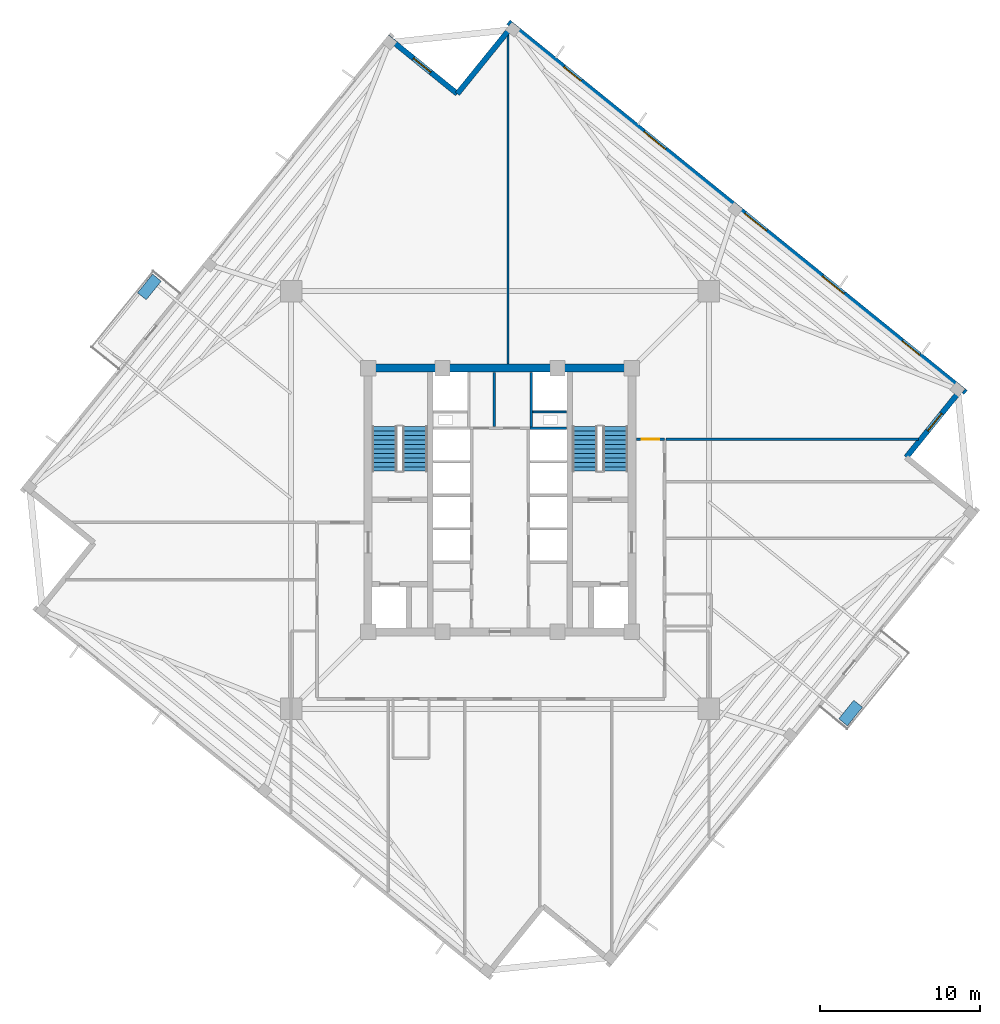
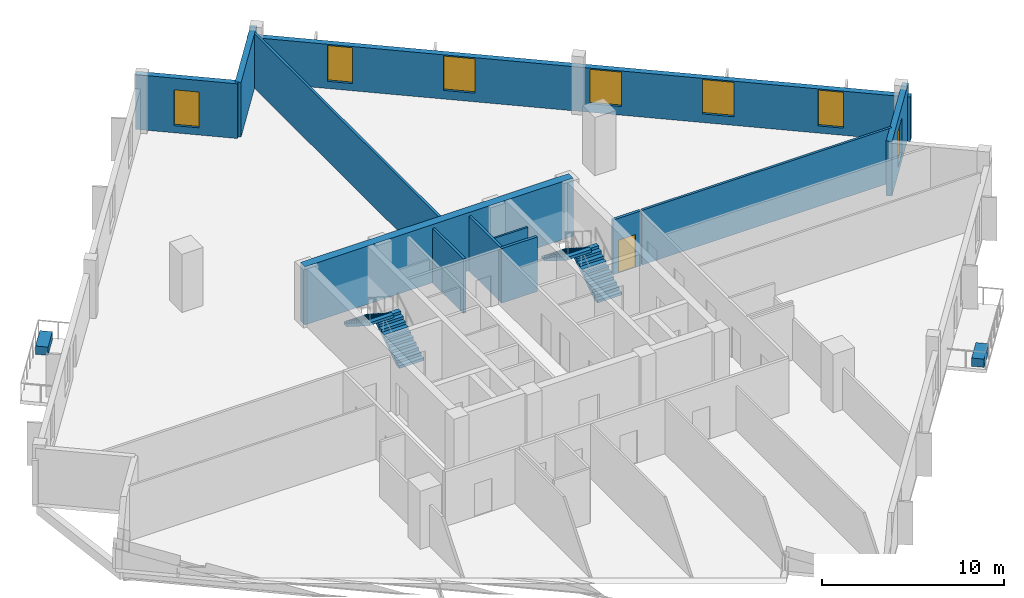
# One storey, part 5 of 9: 12 walls, 7 windows, 4 stair flights, 2 discrete accessories, 1 door, 8 openings, 2 elements without a shape of their own.
"""IFC4 building model written with IfcOpenShell, lengths in metres."""

from ifc_helpers import new_model, si_unit, direction, frame, frame_2d, origin, origin_2d, place, context, subcontext, project, spatial, polyline, rectangle, outline, extrude, source, transform, mapped, material, layer, layer_set, type_object, element, fill, aggregate, save


model = new_model("IFC4")

# Units and contexts
model_context = context("Model", 3, precision=1e-05, world=origin(), true_north=direction((0.0, 1.0)))
body_context = subcontext(model_context, "Body", "Model", "MODEL_VIEW")
ifc_project = project(units=[si_unit("LENGTHUNIT", "METRE"), si_unit("AREAUNIT", "SQUARE_METRE"), si_unit("VOLUMEUNIT", "CUBIC_METRE"), si_unit("PLANEANGLEUNIT", "RADIAN"), si_unit("MASSUNIT", "GRAM", prefix="KILO"), si_unit("THERMODYNAMICTEMPERATUREUNIT", "KELVIN")], contexts=[model_context])

# Site, building, storey
site_placement = place(None, origin())
site = spatial("IfcSite", under=ifc_project, at=site_placement, CompositionType="ELEMENT")
building_placement = place(site_placement, origin())
building = spatial("IfcBuilding", under=site, at=building_placement, Name="Kosmvard Interchange Tower", CompositionType="ELEMENT")
storey_placement = place(building_placement, frame((0.0, 0.0, 209.5)))
storey = spatial("IfcBuildingStorey", under=building, at=storey_placement, Name="L50", CompositionType="ELEMENT", Elevation=209.5)

# Walls
ifc_material_1 = material(Name="Acoustic gypsum partition system")
ifc_layer_1 = layer(ifc_material_1, 0.14990234375, Name="Acoustic gypsum partition system")
ifc_layer_set_1 = layer_set([ifc_layer_1], Name="Acoustic gypsum partition system")
wall_type_1 = type_object("IfcWallType", Name="Acoustic Suite & Meeting Partition 150", PredefinedType="PARTITIONING", material=ifc_layer_set_1)
wall_1_placement = place(storey_placement, frame((0.5, 8.5048828125, 0.0), z_axis=(0.0, 0.0, 1.0), x_axis=(0.0, 1.0, 0.0)))
element("IfcWall", 1, at=wall_1_placement, inside=storey, type_object=wall_type_1, Name="L50 Room Partition 01.1", PredefinedType="PARTITIONING", context=body_context, shape_type="SweptSolid", body=[
    extrude(rectangle(XDim=20.675048828125, YDim=0.14990234375, at=frame_2d((10.33740234375, 0.0))), origin(), (0.0, 0.0, 1.0), 3.659912109375),
])
wall_2_placement = place(storey_placement, frame((10.39501953125, 3.800048828125, 0.0), z_axis=(0.0, 0.0, 1.0), x_axis=(1.0, 0.0, 0.0)))
element("IfcWall", 2, at=wall_2_placement, inside=storey, type_object=wall_type_1, Name="L50 Room Partition 04.1", PredefinedType="PARTITIONING", context=body_context, shape_type="SweptSolid", body=[
    extrude(rectangle(XDim=15.811767578125, YDim=0.14990234375, at=frame_2d((7.90576171875, 0.0))), origin(), (0.0, 0.0, 1.0), 3.659912109375),
])
ifc_material_2 = material(Name="Fire-rated gypsum partition system")
ifc_layer_2 = layer(ifc_material_2, 0.159912109375, Name="Fire-rated gypsum partition system")
ifc_layer_set_2 = layer_set([ifc_layer_2], Name="Fire-rated gypsum partition system")
wall_type_2 = type_object("IfcWallType", Name="Core Compartment & Shuttle Lobby Partition 160", PredefinedType="PARTITIONING", material=ifc_layer_set_2)
wall_3_placement = place(storey_placement, frame((1.9599609375, 4.580078125, 0.0), z_axis=(0.0, 0.0, 1.0), x_axis=(0.0, 1.0, 0.0)))
element("IfcWall", 3, at=wall_3_placement, inside=storey, type_object=wall_type_2, Name="L50 North Core East Wall", PredefinedType="PARTITIONING", context=body_context, shape_type="SweptSolid", body=[
    extrude(rectangle(XDim=3.39990234375, YDim=0.159912109375, at=frame_2d((1.699951171875, 0.0))), origin(), (0.0, 0.0, 1.0), 3.659912109375),
])
ifc_material_3 = material(Name="Concrete blockwork masonry", Category="masonry")
ifc_layer_3 = layer(ifc_material_3, 0.159912109375, Name="Concrete blockwork masonry")
ifc_layer_set_3 = layer_set([ifc_layer_3], Name="Concrete blockwork masonry")
wall_type_3 = type_object("IfcWallType", Name="Core Enclosure Split Wall 160", PredefinedType="PARTITIONING", material=ifc_layer_set_3)
wall_4_placement = place(storey_placement, frame((-0.35009765625, 4.60009765625, 0.0), z_axis=(0.0, 0.0, 1.0), x_axis=(0.0, 1.0, 0.0)))
element("IfcWall", 4, at=wall_4_placement, inside=storey, type_object=wall_type_3, Name="L50 Core K2 Split Wall", PredefinedType="PARTITIONING", context=body_context, shape_type="SweptSolid", body=[
    extrude(rectangle(XDim=3.3798828125, YDim=0.159912109375, at=frame_2d((1.68994140625, 0.0))), origin(), (0.0, 0.0, 1.0), 3.659912109375),
])

# Wall, opening, door
ifc_layer_4 = layer(ifc_material_2, 0.179931640625, Name="Fire-rated gypsum partition system")
ifc_layer_set_4 = layer_set([ifc_layer_4], Name="Fire-rated gypsum partition system")
wall_type_4 = type_object("IfcWallType", Name="Corridor & Hotel Compartment Partition 180", PredefinedType="PARTITIONING", material=ifc_layer_set_4)
wall_5_placement = place(storey_placement, frame((8.550048828125, 3.800048828125, 0.0), z_axis=(0.0, 0.0, 1.0), x_axis=(1.0, 0.0, 0.0)))
wall_5 = element("IfcWall", 5, at=wall_5_placement, inside=storey, type_object=wall_type_4, Name="L50 Corridor Wall CNE", PredefinedType="PARTITIONING", context=body_context, shape_type="SweptSolid", body=[
    extrude(rectangle(XDim=1.75, YDim=0.179931640625, at=frame_2d((0.875, 0.0))), origin(), (0.0, 0.0, 1.0), 3.659912109375),
])
opening_1_placement = place(wall_5_placement, frame((0.324951171875, 0.0, 0.0)))
opening_1 = element("IfcOpeningElement", 6, at=opening_1_placement, cuts=wall_5, Name="Opening L50-D04", PredefinedType="OPENING", context=body_context, shape_type="SweptSolid", body=[
    extrude(rectangle(XDim=1.10009765625, YDim=2.199951171875, at=frame_2d((0.550048828125, 1.10009765625))), frame((0.0, 0.10009765625, 0.0), z_axis=(0.0, -1.0, 0.0), x_axis=(1.0, 0.0, 0.0)), (0.0, 0.0, 1.0), 0.199951171875),
])
ifc_material_4 = material(Name="Engineered oak fire-rated timber", Category="wood")
door_type = type_object("IfcDoorType", Name="Office Suite Entrance Door 1100x2200 FD30S", OperationType="NOTDEFINED", PredefinedType="DOOR", material=ifc_material_4)
shared_shape_1 = source(origin(), body_context, "Body", "SweptSolid", [
    extrude(rectangle(XDim=1.10009765625, YDim=2.199951171875, at=frame_2d((0.550048828125, 1.10009765625))), frame((0.0, 0.02490234375, 0.0), z_axis=(0.0, -1.0, 0.0), x_axis=(1.0, 0.0, 0.0)), (0.0, 0.0, 1.0), 0.050048828125),
])
door_placement = place(opening_1_placement, origin())
door = element("IfcDoor", 7, at=door_placement, inside=storey, type_object=door_type, Name="L50 North-East Diplomatic Chancery Door", OperationType="SINGLE_SWING_RIGHT", OverallHeight=2.199951171875, OverallWidth=1.10009765625, PredefinedType="DOOR", context=body_context, shape_type="MappedRepresentation", body=[
    mapped(shared_shape_1, transform((0.0, 0.0, 0.0), scale=1.0)),
])
fill(opening_1, door)

# Wall, opening, window
ifc_material_5 = material(Name="Precast concrete C45/55", Category="concrete")
ifc_layer_5 = layer(ifc_material_5, 0.340087890625, Name="Precast concrete C45/55")
ifc_layer_set_5 = layer_set([ifc_layer_5], Name="Precast concrete C45/55")
wall_type_5 = type_object("IfcWallType", Name="Mid Tower Precast Pier Wall 340 C45/55", PredefinedType="STANDARD", material=ifc_layer_set_5)
wall_6_placement = place(storey_placement, frame((25.428955078125, 2.672607421875, 0.0), z_axis=(0.0, 0.0, 1.0), x_axis=(0.629299794138, 0.777162640055, 0.0)))
wall_6 = element("IfcWall", 8, at=wall_6_placement, inside=storey, type_object=wall_type_5, Name="L50 Precast Facade Wall N-SE2", PredefinedType="STANDARD", context=body_context, shape_type="SweptSolid", body=[
    extrude(rectangle(XDim=5.669921875, YDim=0.340087890625, at=frame_2d((2.8349609375, 0.0))), origin(), (0.0, 0.0, 1.0), 3.659912109375),
])
opening_2_placement = place(wall_6_placement, frame((2.135009765625, 0.0, 0.47998046875)))
opening_2 = element("IfcOpeningElement", 9, at=opening_2_placement, cuts=wall_6, Name="Opening L50-W21", PredefinedType="OPENING", context=body_context, shape_type="SweptSolid", body=[
    extrude(rectangle(XDim=1.39990234375, YDim=2.39990234375, at=frame_2d((0.699951171875, 1.199951171875))), frame((0.0, 0.18017578125, 0.0), z_axis=(0.0, -1.0, 0.0), x_axis=(1.0, 0.0, 0.0)), (0.0, 0.0, 1.0), 0.360107421875),
])
ifc_material_6 = material(Name="Low-E solar-control double glazing", Category="glass")
window_type_1 = type_object("IfcWindowType", Name="Notched Corner Feature Window 1400x2400", PartitioningType="SINGLE_PANEL", PredefinedType="WINDOW", material=ifc_material_6)
shared_shape_2 = source(origin(), body_context, "Body", "SweptSolid", [
    extrude(rectangle(XDim=1.39990234375, YDim=2.39990234375, at=frame_2d((0.699951171875, 1.199951171875))), frame((0.0, 0.030029296875, 0.0), z_axis=(0.0, -1.0, 0.0), x_axis=(1.0, 0.0, 0.0)), (0.0, 0.0, 1.0), 0.06005859375),
])
window_1_placement = place(opening_2_placement, origin())
window_1 = element("IfcWindow", 10, at=window_1_placement, inside=storey, type_object=window_type_1, Name="L50 Corner Notch Window 21", OverallHeight=2.39990234375, OverallWidth=1.39990234375, PartitioningType="SINGLE_PANEL", PredefinedType="WINDOW", context=body_context, shape_type="MappedRepresentation", body=[
    mapped(shared_shape_2, transform((0.0, 0.0, 0.0), scale=1.0)),
])
fill(opening_2, window_1)

# Wall, openings, windows
wall_7_placement = place(storey_placement, frame((29.154296875, 6.73291015625, 0.0), z_axis=(0.0, 0.0, 1.0), x_axis=(-0.77714192302, 0.629325378072, 0.0)))
wall_7 = element("IfcWall", 11, at=wall_7_placement, inside=storey, type_object=wall_type_5, Name="L50 Precast Facade Wall F-E", PredefinedType="STANDARD", context=body_context, shape_type="SweptSolid", body=[
    extrude(rectangle(XDim=36.840087890625, YDim=0.340087890625, at=frame_2d((18.419921875, 0.0))), origin(), (0.0, 0.0, 1.0), 2.9599609375),
])
opening_3_placement = place(wall_7_placement, frame((3.720703125, 0.0, 0.47998046875)))
opening_3 = element("IfcOpeningElement", 12, at=opening_3_placement, cuts=wall_7, Name="Opening L50-W06", PredefinedType="OPENING", context=body_context, shape_type="SweptSolid", body=[
    extrude(rectangle(XDim=1.39990234375, YDim=2.39990234375, at=frame_2d((0.699951171875, 1.199951171875))), frame((0.0, 0.18017578125, 0.0), z_axis=(0.0, -1.0, 0.0), x_axis=(1.0, 0.0, 0.0)), (0.0, 0.0, 1.0), 0.360107421875),
])
opening_4_placement = place(wall_7_placement, frame((9.80859375, 0.0, 0.580078125)))
opening_4 = element("IfcOpeningElement", 13, at=opening_4_placement, cuts=wall_7, Name="Opening L50-W07", PredefinedType="OPENING", context=body_context, shape_type="SweptSolid", body=[
    extrude(rectangle(XDim=1.75, YDim=2.300048828125, at=frame_2d((0.875, 1.14990234375))), frame((0.0, 0.18017578125, 0.0), z_axis=(0.0, -1.0, 0.0), x_axis=(1.0, 0.0, 0.0)), (0.0, 0.0, 1.0), 0.360107421875),
])
opening_5_placement = place(wall_7_placement, frame((16.05810546875, 0.0, 0.580078125)))
opening_5 = element("IfcOpeningElement", 14, at=opening_5_placement, cuts=wall_7, Name="Opening L50-W08", PredefinedType="OPENING", context=body_context, shape_type="SweptSolid", body=[
    extrude(rectangle(XDim=1.75, YDim=2.300048828125, at=frame_2d((0.875, 1.14990234375))), frame((0.0, 0.18017578125, 0.0), z_axis=(0.0, -1.0, 0.0), x_axis=(1.0, 0.0, 0.0)), (0.0, 0.0, 1.0), 0.360107421875),
])
opening_6_placement = place(wall_7_placement, frame((24.17626953125, 0.0, 0.580078125)))
opening_6 = element("IfcOpeningElement", 15, at=opening_6_placement, cuts=wall_7, Name="Opening L50-W09", PredefinedType="OPENING", context=body_context, shape_type="SweptSolid", body=[
    extrude(rectangle(XDim=1.75, YDim=2.300048828125, at=frame_2d((0.875, 1.14990234375))), frame((0.0, 0.18017578125, 0.0), z_axis=(0.0, -1.0, 0.0), x_axis=(1.0, 0.0, 0.0)), (0.0, 0.0, 1.0), 0.360107421875),
])
opening_7_placement = place(wall_7_placement, frame((30.982421875, 0.0, 0.47998046875)))
opening_7 = element("IfcOpeningElement", 16, at=opening_7_placement, cuts=wall_7, Name="Opening L50-W10", PredefinedType="OPENING", context=body_context, shape_type="SweptSolid", body=[
    extrude(rectangle(XDim=1.39990234375, YDim=2.39990234375, at=frame_2d((0.699951171875, 1.199951171875))), frame((0.0, 0.18017578125, 0.0), z_axis=(0.0, -1.0, 0.0), x_axis=(1.0, 0.0, 0.0)), (0.0, 0.0, 1.0), 0.360107421875),
])
window_2_placement = place(opening_3_placement, origin())
window_2 = element("IfcWindow", 17, at=window_2_placement, inside=storey, type_object=window_type_1, Name="L50 Facade Punched Window 06", OverallHeight=2.39990234375, OverallWidth=1.39990234375, PartitioningType="SINGLE_PANEL", PredefinedType="WINDOW", context=body_context, shape_type="MappedRepresentation", body=[
    mapped(shared_shape_2, transform((0.0, 0.0, 0.0), scale=1.0)),
])
fill(opening_3, window_2)
window_3_placement = place(opening_7_placement, origin())
window_3 = element("IfcWindow", 18, at=window_3_placement, inside=storey, type_object=window_type_1, Name="L50 Facade Punched Window 10", OverallHeight=2.39990234375, OverallWidth=1.39990234375, PartitioningType="SINGLE_PANEL", PredefinedType="WINDOW", context=body_context, shape_type="MappedRepresentation", body=[
    mapped(shared_shape_2, transform((0.0, 0.0, 0.0), scale=1.0)),
])
fill(opening_7, window_3)
window_type_2 = type_object("IfcWindowType", Name="Zone 4 Suite Punched Window 1750x2300", PartitioningType="SINGLE_PANEL", PredefinedType="WINDOW", material=ifc_material_6)
shared_shape_3 = source(origin(), body_context, "Body", "SweptSolid", [
    extrude(rectangle(XDim=1.75, YDim=2.300048828125, at=frame_2d((0.875, 1.14990234375))), frame((0.0, 0.030029296875, 0.0), z_axis=(0.0, -1.0, 0.0), x_axis=(1.0, 0.0, 0.0)), (0.0, 0.0, 1.0), 0.06005859375),
])
window_4_placement = place(opening_4_placement, origin())
window_4 = element("IfcWindow", 19, at=window_4_placement, inside=storey, type_object=window_type_2, Name="L50 Facade Punched Window 07", OverallHeight=2.300048828125, OverallWidth=1.75, PartitioningType="SINGLE_PANEL", PredefinedType="WINDOW", context=body_context, shape_type="MappedRepresentation", body=[
    mapped(shared_shape_3, transform((0.0, 0.0, 0.0), scale=1.0)),
])
fill(opening_4, window_4)
window_5_placement = place(opening_5_placement, origin())
window_5 = element("IfcWindow", 20, at=window_5_placement, inside=storey, type_object=window_type_2, Name="L50 Facade Punched Window 08", OverallHeight=2.300048828125, OverallWidth=1.75, PartitioningType="SINGLE_PANEL", PredefinedType="WINDOW", context=body_context, shape_type="MappedRepresentation", body=[
    mapped(shared_shape_3, transform((0.0, 0.0, 0.0), scale=1.0)),
])
fill(opening_5, window_5)
window_6_placement = place(opening_6_placement, origin())
window_6 = element("IfcWindow", 21, at=window_6_placement, inside=storey, type_object=window_type_2, Name="L50 Facade Punched Window 09", OverallHeight=2.300048828125, OverallWidth=1.75, PartitioningType="SINGLE_PANEL", PredefinedType="WINDOW", context=body_context, shape_type="MappedRepresentation", body=[
    mapped(shared_shape_3, transform((0.0, 0.0, 0.0), scale=1.0)),
])
fill(opening_6, window_6)

# Wall
wall_8_placement = place(storey_placement, frame((0.78857421875, 29.703125, 0.0), z_axis=(0.0, 0.0, 1.0), x_axis=(-0.629323365087, -0.77714355312, 0.0)))
element("IfcWall", 22, at=wall_8_placement, inside=storey, type_object=wall_type_5, Name="L50 Precast Facade Wall N-NE1", PredefinedType="STANDARD", context=body_context, shape_type="SweptSolid", body=[
    extrude(rectangle(XDim=5.499755859375, YDim=0.340087890625, at=frame_2d((2.75, 0.0))), origin(), (0.0, 0.0, 1.0), 3.659912109375),
])

# Wall, opening, window
wall_9_placement = place(storey_placement, frame((-2.672607421875, 25.428955078125, 0.0), z_axis=(0.0, 0.0, 1.0), x_axis=(-0.777162640055, 0.629299794138, 0.0)))
wall_9 = element("IfcWall", 23, at=wall_9_placement, inside=storey, type_object=wall_type_5, Name="L50 Precast Facade Wall N-NE2", PredefinedType="STANDARD", context=body_context, shape_type="SweptSolid", body=[
    extrude(rectangle(XDim=5.669921875, YDim=0.340087890625, at=frame_2d((2.8349609375, 0.0))), origin(), (0.0, 0.0, 1.0), 3.659912109375),
])
opening_8_placement = place(wall_9_placement, frame((2.135009765625, 0.0, 0.47998046875)))
opening_8 = element("IfcOpeningElement", 24, at=opening_8_placement, cuts=wall_9, Name="Opening L50-W22", PredefinedType="OPENING", context=body_context, shape_type="SweptSolid", body=[
    extrude(rectangle(XDim=1.39990234375, YDim=2.39990234375, at=frame_2d((0.699951171875, 1.199951171875))), frame((0.0, 0.18017578125, 0.0), z_axis=(0.0, -1.0, 0.0), x_axis=(1.0, 0.0, 0.0)), (0.0, 0.0, 1.0), 0.360107421875),
])
window_7_placement = place(opening_8_placement, origin())
window_7 = element("IfcWindow", 25, at=window_7_placement, inside=storey, type_object=window_type_1, Name="L50 Corner Notch Window 22", OverallHeight=2.39990234375, OverallWidth=1.39990234375, PartitioningType="SINGLE_PANEL", PredefinedType="WINDOW", context=body_context, shape_type="MappedRepresentation", body=[
    mapped(shared_shape_2, transform((0.0, 0.0, 0.0), scale=1.0)),
])
fill(opening_8, window_7)

# Walls
ifc_layer_6 = layer(ifc_material_3, 0.179931640625, Name="Concrete blockwork masonry")
ifc_layer_set_6 = layer_set([ifc_layer_6], Name="Concrete blockwork masonry")
wall_type_6 = type_object("IfcWallType", Name="Riser & Lift Bank Divider Wall 180", PredefinedType="PARTITIONING", material=ifc_layer_set_6)
wall_10_placement = place(storey_placement, frame((1.889892578125, 4.489990234375, 0.0), z_axis=(0.0, 0.0, 1.0), x_axis=(1.0, 0.0, 0.0)))
element("IfcWall", 26, at=wall_10_placement, inside=storey, type_object=wall_type_6, Name="L50 East Bank Divider BD3", PredefinedType="PARTITIONING", context=body_context, shape_type="SweptSolid", body=[
    extrude(rectangle(XDim=2.280029296875, YDim=0.179931640625, at=frame_2d((1.14013671875, 0.0))), origin(), (0.0, 0.0, 1.0), 3.659912109375),
])
ifc_material_7 = material(Name="Fire-rated gypsum shaftwall system")
ifc_layer_7 = layer(ifc_material_7, 0.1201171875, Name="Fire-rated gypsum shaftwall system")
ifc_layer_set_7 = layer_set([ifc_layer_7], Name="Fire-rated gypsum shaftwall system")
wall_type_7 = type_object("IfcWallType", Name="Shaft & Riser Fire Partition 120 EI60", PredefinedType="PARTITIONING", material=ifc_layer_set_7)
wall_11_placement = place(storey_placement, frame((2.06005859375, 5.52001953125, 0.0), z_axis=(0.0, 0.0, 1.0), x_axis=(1.0, 0.0, 0.0)))
element("IfcWall", 27, at=wall_11_placement, inside=storey, type_object=wall_type_7, Name="L50 Riser Shaft Divider E", PredefinedType="PARTITIONING", context=body_context, shape_type="SweptSolid", body=[
    extrude(rectangle(XDim=2.099853515625, YDim=0.1201171875, at=frame_2d((1.0498046875, 0.0))), origin(), (0.0, 0.0, 1.0), 3.659912109375),
])
ifc_material_8 = material(Name="Concrete C60/75", Category="concrete")
ifc_layer_8 = layer(ifc_material_8, 0.5, Name="Concrete C60/75")
ifc_layer_set_8 = layer_set([ifc_layer_8], Name="Concrete C60/75")
wall_type_8 = type_object("IfcWallType", Name="Upper Core Shear Wall 500 C60/75", PredefinedType="SHEAR", material=ifc_layer_set_8)
wall_12_placement = place(storey_placement, frame((-8.5, 8.25, 0.0), z_axis=(0.0, 0.0, 1.0), x_axis=(1.0, 0.0, 0.0)))
element("IfcWall", 28, at=wall_12_placement, inside=storey, type_object=wall_type_8, Name="L50 Core Shear Wall CW-N", PredefinedType="SHEAR", context=body_context, shape_type="SweptSolid", body=[
    extrude(rectangle(XDim=17.0, YDim=0.5, at=frame_2d((8.5, 0.0))), origin(), (0.0, 0.0, 1.0), 3.89990234375),
])

# Stair, stair flights
ifc_material_9 = material(Name="Concrete C50/60", Category="concrete")
stair_type = type_object("IfcStairType", Name="Dog-Leg Core Exit Stair H3900 C50/60", PredefinedType="HALF_TURN_STAIR", material=ifc_material_9)
stair_1_placement = place(storey_placement, origin())
stair_1 = element("IfcStair", 29, at=stair_1_placement, inside=storey, type_object=stair_type, Name="L50 Protected Exit Stair ST-1", PredefinedType="HALF_TURN_STAIR")
stair_flight_type = type_object("IfcStairFlightType", Name="Core Stair Flight W1550 H3900 C50/60", PredefinedType="STRAIGHT", material=ifc_material_9)
shared_shape_4 = source(origin(), body_context, "Body", "SweptSolid", [
    extrude(outline(polyline([(0.0, 0.0), (0.0, 0.17724609375), (0.280029296875, 0.17724609375), (0.280029296875, 0.3544921875), (0.56005859375, 0.3544921875), (0.56005859375, 0.53173828125), (0.840087890625, 0.53173828125), (0.840087890625, 0.708984375), (1.1201171875, 0.708984375), (1.1201171875, 0.886474609375), (1.39990234375, 0.886474609375), (1.39990234375, 1.063720703125), (1.679931640625, 1.063720703125), (1.679931640625, 1.240966796875), (1.9599609375, 1.240966796875), (1.9599609375, 1.418212890625), (2.239990234375, 1.418212890625), (2.239990234375, 1.595458984375), (2.52001953125, 1.595458984375), (2.52001953125, 1.772705078125), (2.800048828125, 1.772705078125), (2.800048828125, 1.949951171875), (2.800048828125, 1.58349609375), (0.298828125, 0.0), (0.0, 0.0)])), frame((0.0, 0.77490234375, 0.0), z_axis=(0.0, -1.0, 0.0), x_axis=(1.0, 0.0, 0.0)), (0.0, 0.0, 1.0), 1.550048828125),
])
stair_flight_1_placement = place(storey_placement, frame((-5.31494140625, 1.800048828125, 0.0), z_axis=(0.0, 0.0, 1.0), x_axis=(0.0, 1.0, 0.0)))
stair_flight_1 = element("IfcStairFlight", 30, at=stair_flight_1_placement, type_object=stair_flight_type, Name="ST-1 flight 1", NumberOfRisers=11, NumberOfTreads=10, PredefinedType="STRAIGHT", RiserHeight=0.177272727, TreadLength=0.28, context=body_context, shape_type="MappedRepresentation", body=[
    mapped(shared_shape_4, transform((0.0, 0.0, 0.0), scale=1.0)),
])
stair_flight_2_placement = place(storey_placement, frame((-7.22509765625, 4.60009765625, 1.949951171875), z_axis=(0.0, 0.0, 1.0), x_axis=(0.0, -1.0, 0.0)))
stair_flight_2 = element("IfcStairFlight", 31, at=stair_flight_2_placement, type_object=stair_flight_type, Name="ST-1 flight 2", NumberOfRisers=11, NumberOfTreads=10, PredefinedType="STRAIGHT", RiserHeight=0.177272727, TreadLength=0.28, context=body_context, shape_type="MappedRepresentation", body=[
    mapped(shared_shape_4, transform((0.0, 0.0, 0.0), scale=1.0)),
])
aggregate(stair_1, [stair_flight_1, stair_flight_2])

stair_2_placement = place(storey_placement, origin())
stair_2 = element("IfcStair", 32, at=stair_2_placement, inside=storey, type_object=stair_type, Name="L50 Protected Exit Stair ST-2", PredefinedType="HALF_TURN_STAIR")
stair_flight_3_placement = place(storey_placement, frame((7.22509765625, 1.800048828125, 0.0), z_axis=(0.0, 0.0, 1.0), x_axis=(0.0, 1.0, 0.0)))
stair_flight_3 = element("IfcStairFlight", 33, at=stair_flight_3_placement, type_object=stair_flight_type, Name="ST-2 flight 1", NumberOfRisers=11, NumberOfTreads=10, PredefinedType="STRAIGHT", RiserHeight=0.177272727, TreadLength=0.28, context=body_context, shape_type="MappedRepresentation", body=[
    mapped(shared_shape_4, transform((0.0, 0.0, 0.0), scale=1.0)),
])
stair_flight_4_placement = place(storey_placement, frame((5.31494140625, 4.60009765625, 1.949951171875), z_axis=(0.0, 0.0, 1.0), x_axis=(0.0, -1.0, 0.0)))
stair_flight_4 = element("IfcStairFlight", 34, at=stair_flight_4_placement, type_object=stair_flight_type, Name="ST-2 flight 2", NumberOfRisers=11, NumberOfTreads=10, PredefinedType="STRAIGHT", RiserHeight=0.177272727, TreadLength=0.28, context=body_context, shape_type="MappedRepresentation", body=[
    mapped(shared_shape_4, transform((0.0, 0.0, 0.0), scale=1.0)),
])
aggregate(stair_2, [stair_flight_3, stair_flight_4])

# Discrete accessories
ifc_material_10 = material(Name="Terracotta precast planter concrete C45/55", Category="masonry")
discrete_accessory_type = type_object("IfcDiscreteAccessoryType", Name="Precast Tree-Balcony & Terrace Planter Box", PredefinedType="USERDEFINED", material=ifc_material_10)
shared_shape_5 = source(origin(), body_context, "Body", "SweptSolid", [
    extrude(rectangle(XDim=1.5, YDim=0.699951171875, at=origin_2d()), origin(), (0.0, 0.0, 1.0), 0.550048828125),
])
for number, where, z_axis, x_axis, name in (
    (35, (21.949462890625, -13.3349609375, 0.0), (0.0, 0.0, 1.0), (0.62932039105, 0.777145961457, 0.0), "L50 Balcony Tree Planter BAL-L50-SW"),
    (36, (-21.949462890625, 13.3349609375, 0.0), (0.0, 0.0, 1.0), (0.62932039105, 0.777145961457, 0.0), "L50 Balcony Tree Planter BAL-L50-NE"),
):
    element("IfcDiscreteAccessory", number, at=place(storey_placement, frame(where, z_axis=z_axis, x_axis=x_axis)), inside=storey, type_object=discrete_accessory_type, Name=name, ObjectType="PLANTER", PredefinedType="USERDEFINED", context=body_context, shape_type="MappedRepresentation", body=[
        mapped(shared_shape_5, transform((0.0, 0.0, 0.0), scale=1.0)),
    ])

save(model, "model.ifc")
